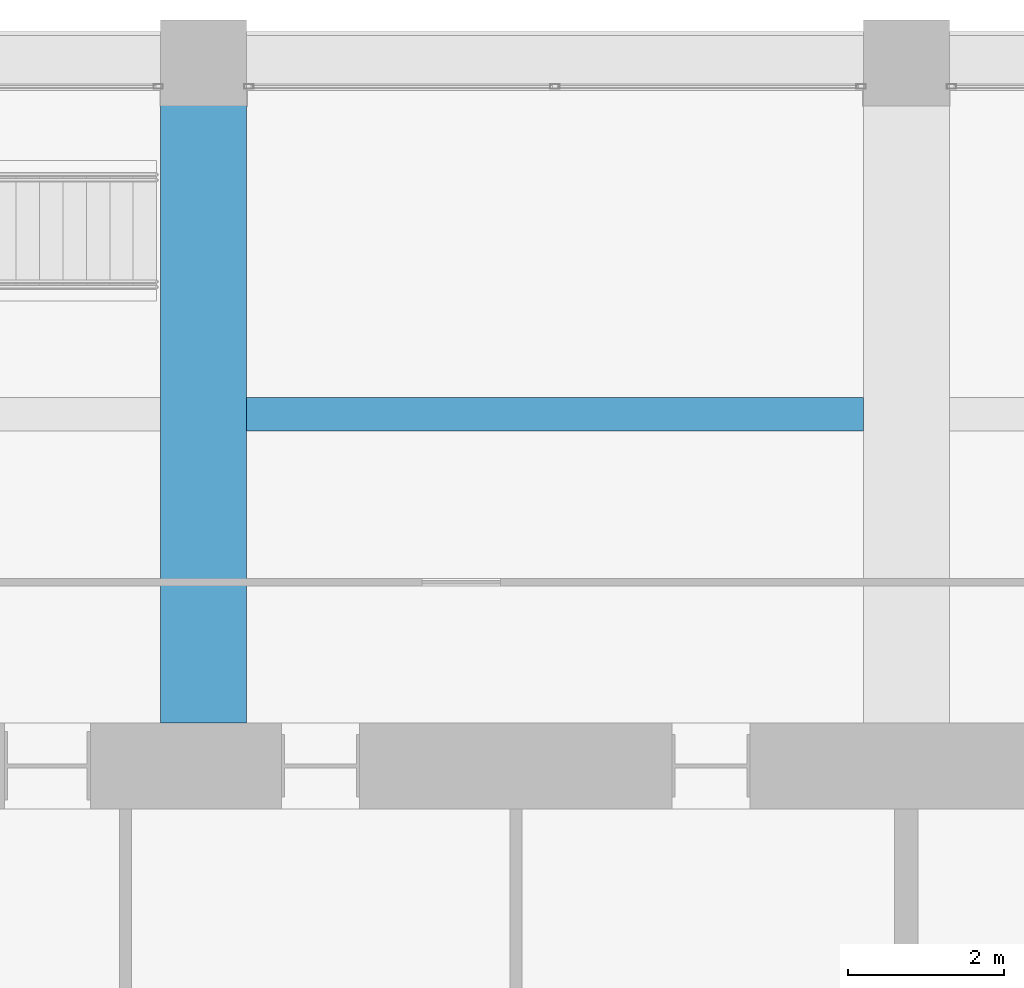
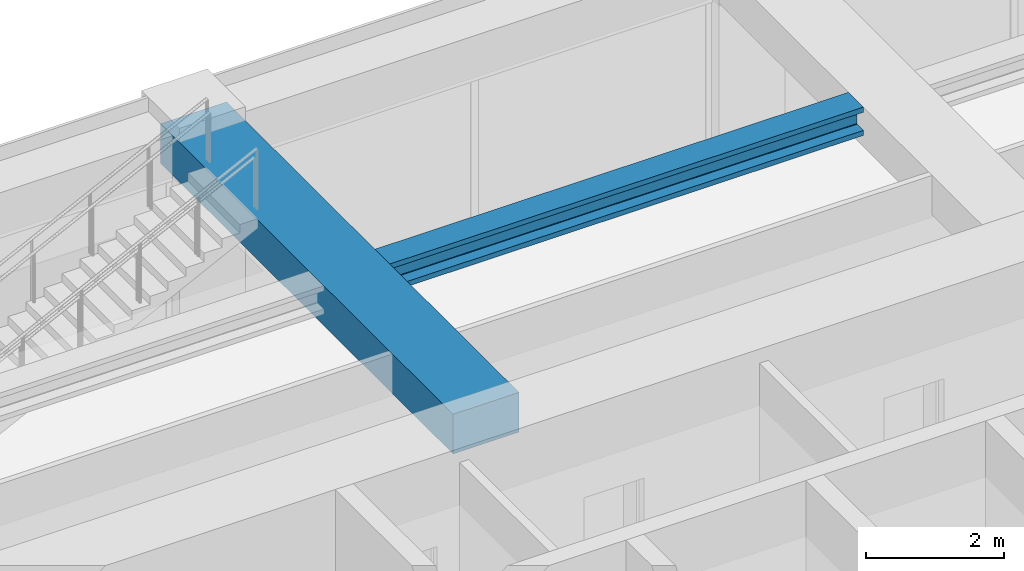
# One storey, part 32 of 44: 2 beams.
"""IFC4 building model written with IfcOpenShell, lengths in metres."""

from ifc_helpers import new_model, si_unit, direction, frame, origin, origin_2d, place, context, subcontext, project, spatial, rectangle, i_section, extrude, material, material_profile, profile_set, type_object, element, save


model = new_model("IFC4")

# Units and contexts
model_context = context("Model", 3, precision=1e-05, world=origin(), true_north=direction((0.0, 1.0)))
body_context = subcontext(model_context, "Body", "Model", "MODEL_VIEW")
ifc_project = project(units=[si_unit("LENGTHUNIT", "METRE"), si_unit("AREAUNIT", "SQUARE_METRE"), si_unit("VOLUMEUNIT", "CUBIC_METRE"), si_unit("PLANEANGLEUNIT", "RADIAN"), si_unit("MASSUNIT", "GRAM", prefix="KILO")], contexts=[model_context])

# Site, building, storey
site_placement = place(None, origin())
site = spatial("IfcSite", under=ifc_project, at=site_placement, CompositionType="ELEMENT")
building_placement = place(site_placement, origin())
building = spatial("IfcBuilding", under=site, at=building_placement, Name="Zorevar Civic Tower", CompositionType="ELEMENT")
storey_placement = place(building_placement, frame((0.0, 0.0, 271.39990234375)))
storey = spatial("IfcBuildingStorey", under=building, at=storey_placement, Name="L66", CompositionType="ELEMENT", Elevation=271.39990234375)

# Beams
ifc_material_1 = material(Name="Concrete C50/60", Category="concrete")
ifc_material_profile_1 = material_profile(ifc_material_1, rectangle(XDim=1.10009765625, YDim=0.699951171875, at=origin_2d()), Name="RC 1100x700")
ifc_profile_set_1 = profile_set([ifc_material_profile_1], Name="Concrete C50/60")
beam_type_1 = type_object("IfcBeamType", Name="Beam RC 1100x700", PredefinedType="BEAM", material=ifc_profile_set_1)
beam_1_placement = place(storey_placement, frame((27.0, 36.550048828125, 3.400146484375), z_axis=(0.0, 1.0, 0.0), x_axis=(-1.0, 0.0, 0.0)))
element("IfcBeam", 1, at=beam_1_placement, inside=storey, type_object=beam_type_1, Name="Girder L67", PredefinedType="BEAM", context=body_context, shape_type="SweptSolid", body=[
    extrude(rectangle(XDim=1.10009765625, YDim=0.699951171875, at=origin_2d()), origin(), (0.0, 0.0, 1.0), 8.449951171875),
])
ifc_material_2 = material(Name="Steel S460M (HISTAR 460)", Category="steel")
ifc_material_profile_2 = material_profile(ifc_material_2, i_section(OverallWidth=0.431884765625, OverallDepth=0.498046875, WebThickness=0.0556640625, FlangeThickness=0.0888671875, FilletRadius=0.014892578125, at=origin_2d()), Name="HD 400x744")
ifc_profile_set_2 = profile_set([ifc_material_profile_2], Name="Steel S460M (HISTAR 460)")
beam_type_2 = type_object("IfcBeamType", Name="Core bay beam HD 400x744", PredefinedType="BEAM", material=ifc_profile_set_2)
beam_2_placement = place(storey_placement, frame((27.550048828125, 40.5, 3.5009765625), z_axis=(1.0, 0.0, 0.0), x_axis=(0.0, 1.0, 0.0)))
element("IfcBeam", 2, at=beam_2_placement, inside=storey, type_object=beam_type_2, Name="Secondary beam L67", PredefinedType="BEAM", context=body_context, shape_type="SweptSolid", body=[
    extrude(i_section(OverallWidth=0.431884765625, OverallDepth=0.498046875, WebThickness=0.0556640625, FlangeThickness=0.0888671875, FilletRadius=0.014892578125, at=origin_2d()), origin(), (0.0, 0.0, 1.0), 7.89990234375),
])

save(model, "model.ifc")
